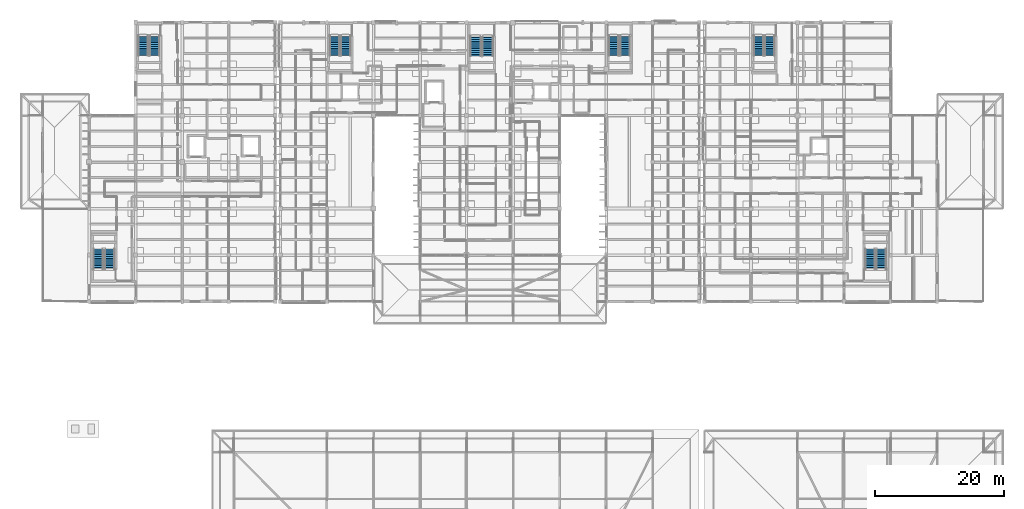
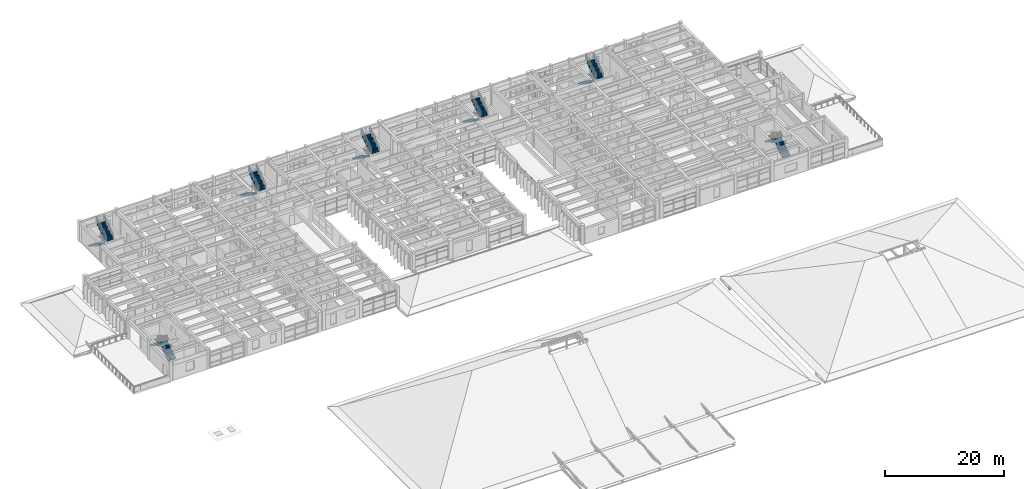
# One storey, part 83 of 100: 14 stair flights, 7 elements without a shape of their own.
"""IFC4 building model written with IfcOpenShell, lengths in metres."""

from ifc_helpers import new_model, si_unit, direction, frame, origin, place, context, subcontext, project, spatial, polyline, outline, extrude, material, type_object, element, aggregate, save


model = new_model("IFC4")

# Units and contexts
model_context = context("Model", 3, precision=1e-05, world=origin(), true_north=direction((0.0, 1.0)))
body_context = subcontext(model_context, "Body", "Model", "MODEL_VIEW")
ifc_project = project(units=[si_unit("LENGTHUNIT", "METRE"), si_unit("AREAUNIT", "SQUARE_METRE"), si_unit("VOLUMEUNIT", "CUBIC_METRE"), si_unit("PLANEANGLEUNIT", "RADIAN"), si_unit("MASSUNIT", "GRAM", prefix="KILO")], contexts=[model_context])

# Site, building, storey
site_placement = place(None, origin())
site = spatial("IfcSite", under=ifc_project, at=site_placement, CompositionType="ELEMENT")
building_placement = place(site_placement, origin())
building = spatial("IfcBuilding", under=site, at=building_placement, Name="Steenspoor Specialist Clinic", CompositionType="ELEMENT")
storey_placement = place(building_placement, frame((0.0, 0.0, 9.0)))
storey = spatial("IfcBuildingStorey", under=building, at=storey_placement, Name="L02", CompositionType="ELEMENT", Elevation=9.0)

# Stair, stair flights
ifc_material = material(Name="Concrete C35/45", Category="concrete")
stair_type_1 = type_object("IfcStairType", Name="ST-CORE-TYP", PredefinedType="HALF_TURN_STAIR", material=ifc_material)
stair_1_placement = place(storey_placement, origin())
stair_1 = element("IfcStair", 1, at=stair_1_placement, inside=storey, type_object=stair_type_1, Name="L02 Enclosed Exit Stair ST-V4A", PredefinedType="HALF_TURN_STAIR")
stair_flight_type_1 = type_object("IfcStairFlightType", Name="FL-CORE-TYP", PredefinedType="STRAIGHT", material=ifc_material)
stair_flight_1_placement = place(storey_placement, frame((60.77490234375, 106.35009765625, 0.0), z_axis=(0.0, 0.0, 1.0), x_axis=(0.0, -1.0, 0.0)))
stair_flight_1 = element("IfcStairFlight", 2, at=stair_flight_1_placement, type_object=stair_flight_type_1, Name="ST-V4A flight 1", NumberOfRisers=12, NumberOfTreads=11, PredefinedType="STRAIGHT", RiserHeight=0.175, TreadLength=0.285, context=body_context, shape_type="SweptSolid", body=[
    extrude(outline(polyline([(0.0, 0.0), (0.0, 0.175048828125), (0.284912109375, 0.175048828125), (0.284912109375, 0.35009765625), (0.570068359375, 0.35009765625), (0.570068359375, 0.52490234375), (0.85498046875, 0.52490234375), (0.85498046875, 0.699951171875), (1.139892578125, 0.699951171875), (1.139892578125, 0.875), (1.425048828125, 0.875), (1.425048828125, 1.050048828125), (1.7099609375, 1.050048828125), (1.7099609375, 1.22509765625), (1.9951171875, 1.22509765625), (1.9951171875, 1.39990234375), (2.280029296875, 1.39990234375), (2.280029296875, 1.574951171875), (2.56494140625, 1.574951171875), (2.56494140625, 1.75), (2.85009765625, 1.75), (2.85009765625, 1.925048828125), (3.135009765625, 1.925048828125), (3.135009765625, 2.10009765625), (3.135009765625, 1.7373046875), (0.3056640625, 0.0), (0.0, 0.0)])), frame((0.0, 0.77490234375, 0.0), z_axis=(0.0, -1.0, 0.0), x_axis=(1.0, 0.0, 0.0)), (0.0, 0.0, 1.0), 1.550048828125),
])
stair_flight_2_placement = place(storey_placement, frame((62.52490234375, 103.215087890625, 2.10009765625), z_axis=(0.0, 0.0, 1.0), x_axis=(0.0, 1.0, 0.0)))
stair_flight_2 = element("IfcStairFlight", 3, at=stair_flight_2_placement, type_object=stair_flight_type_1, Name="ST-V4A flight 2", NumberOfRisers=12, NumberOfTreads=11, PredefinedType="STRAIGHT", RiserHeight=0.175, TreadLength=0.285, context=body_context, shape_type="SweptSolid", body=[
    extrude(outline(polyline([(0.0, 0.0), (0.0, 0.175048828125), (0.284912109375, 0.175048828125), (0.284912109375, 0.35009765625), (0.570068359375, 0.35009765625), (0.570068359375, 0.52490234375), (0.85498046875, 0.52490234375), (0.85498046875, 0.699951171875), (1.139892578125, 0.699951171875), (1.139892578125, 0.875), (1.425048828125, 0.875), (1.425048828125, 1.050048828125), (1.7099609375, 1.050048828125), (1.7099609375, 1.22509765625), (1.9951171875, 1.22509765625), (1.9951171875, 1.39990234375), (2.280029296875, 1.39990234375), (2.280029296875, 1.574951171875), (2.56494140625, 1.574951171875), (2.56494140625, 1.75), (2.85009765625, 1.75), (2.85009765625, 1.925048828125), (3.135009765625, 1.925048828125), (3.135009765625, 2.10009765625), (3.135009765625, 1.7373046875), (0.3056640625, 0.0), (0.0, 0.0)])), frame((0.0, 0.77490234375, 0.0), z_axis=(0.0, -1.0, 0.0), x_axis=(1.0, 0.0, 0.0)), (0.0, 0.0, 1.0), 1.550048828125),
])
aggregate(stair_1, [stair_flight_1, stair_flight_2])

stair_2_placement = place(storey_placement, origin())
stair_2 = element("IfcStair", 4, at=stair_2_placement, inside=storey, type_object=stair_type_1, Name="L02 Enclosed Exit Stair ST-V4B", PredefinedType="HALF_TURN_STAIR")
stair_flight_3_placement = place(storey_placement, frame((103.97509765625, 106.35009765625, 0.0), z_axis=(0.0, 0.0, 1.0), x_axis=(0.0, -1.0, 0.0)))
stair_flight_3 = element("IfcStairFlight", 5, at=stair_flight_3_placement, type_object=stair_flight_type_1, Name="ST-V4B flight 1", NumberOfRisers=12, NumberOfTreads=11, PredefinedType="STRAIGHT", RiserHeight=0.175, TreadLength=0.285, context=body_context, shape_type="SweptSolid", body=[
    extrude(outline(polyline([(0.0, 0.0), (0.0, 0.175048828125), (0.284912109375, 0.175048828125), (0.284912109375, 0.35009765625), (0.570068359375, 0.35009765625), (0.570068359375, 0.52490234375), (0.85498046875, 0.52490234375), (0.85498046875, 0.699951171875), (1.139892578125, 0.699951171875), (1.139892578125, 0.875), (1.425048828125, 0.875), (1.425048828125, 1.050048828125), (1.7099609375, 1.050048828125), (1.7099609375, 1.22509765625), (1.9951171875, 1.22509765625), (1.9951171875, 1.39990234375), (2.280029296875, 1.39990234375), (2.280029296875, 1.574951171875), (2.56494140625, 1.574951171875), (2.56494140625, 1.75), (2.85009765625, 1.75), (2.85009765625, 1.925048828125), (3.135009765625, 1.925048828125), (3.135009765625, 2.10009765625), (3.135009765625, 1.7373046875), (0.3056640625, 0.0), (0.0, 0.0)])), frame((0.0, 0.77490234375, 0.0), z_axis=(0.0, -1.0, 0.0), x_axis=(1.0, 0.0, 0.0)), (0.0, 0.0, 1.0), 1.550048828125),
])
stair_flight_4_placement = place(storey_placement, frame((105.72509765625, 103.215087890625, 2.10009765625), z_axis=(0.0, 0.0, 1.0), x_axis=(0.0, 1.0, 0.0)))
stair_flight_4 = element("IfcStairFlight", 6, at=stair_flight_4_placement, type_object=stair_flight_type_1, Name="ST-V4B flight 2", NumberOfRisers=12, NumberOfTreads=11, PredefinedType="STRAIGHT", RiserHeight=0.175, TreadLength=0.285, context=body_context, shape_type="SweptSolid", body=[
    extrude(outline(polyline([(0.0, 0.0), (0.0, 0.175048828125), (0.284912109375, 0.175048828125), (0.284912109375, 0.35009765625), (0.570068359375, 0.35009765625), (0.570068359375, 0.52490234375), (0.85498046875, 0.52490234375), (0.85498046875, 0.699951171875), (1.139892578125, 0.699951171875), (1.139892578125, 0.875), (1.425048828125, 0.875), (1.425048828125, 1.050048828125), (1.7099609375, 1.050048828125), (1.7099609375, 1.22509765625), (1.9951171875, 1.22509765625), (1.9951171875, 1.39990234375), (2.280029296875, 1.39990234375), (2.280029296875, 1.574951171875), (2.56494140625, 1.574951171875), (2.56494140625, 1.75), (2.85009765625, 1.75), (2.85009765625, 1.925048828125), (3.135009765625, 1.925048828125), (3.135009765625, 2.10009765625), (3.135009765625, 1.7373046875), (0.3056640625, 0.0), (0.0, 0.0)])), frame((0.0, 0.77490234375, 0.0), z_axis=(0.0, -1.0, 0.0), x_axis=(1.0, 0.0, 0.0)), (0.0, 0.0, 1.0), 1.550048828125),
])
aggregate(stair_2, [stair_flight_3, stair_flight_4])

stair_3_placement = place(storey_placement, origin())
stair_3 = element("IfcStair", 7, at=stair_3_placement, inside=storey, type_object=stair_type_1, Name="L02 Enclosed Exit Stair ST-V5A", PredefinedType="HALF_TURN_STAIR")
stair_flight_5_placement = place(storey_placement, frame((31.175048828125, 106.35009765625, 0.0), z_axis=(0.0, 0.0, 1.0), x_axis=(0.0, -1.0, 0.0)))
stair_flight_5 = element("IfcStairFlight", 8, at=stair_flight_5_placement, type_object=stair_flight_type_1, Name="ST-V5A flight 1", NumberOfRisers=12, NumberOfTreads=11, PredefinedType="STRAIGHT", RiserHeight=0.175, TreadLength=0.285, context=body_context, shape_type="SweptSolid", body=[
    extrude(outline(polyline([(0.0, 0.0), (0.0, 0.175048828125), (0.284912109375, 0.175048828125), (0.284912109375, 0.35009765625), (0.570068359375, 0.35009765625), (0.570068359375, 0.52490234375), (0.85498046875, 0.52490234375), (0.85498046875, 0.699951171875), (1.139892578125, 0.699951171875), (1.139892578125, 0.875), (1.425048828125, 0.875), (1.425048828125, 1.050048828125), (1.7099609375, 1.050048828125), (1.7099609375, 1.22509765625), (1.9951171875, 1.22509765625), (1.9951171875, 1.39990234375), (2.280029296875, 1.39990234375), (2.280029296875, 1.574951171875), (2.56494140625, 1.574951171875), (2.56494140625, 1.75), (2.85009765625, 1.75), (2.85009765625, 1.925048828125), (3.135009765625, 1.925048828125), (3.135009765625, 2.10009765625), (3.135009765625, 1.7373046875), (0.3056640625, 0.0), (0.0, 0.0)])), frame((0.0, 0.77490234375, 0.0), z_axis=(0.0, -1.0, 0.0), x_axis=(1.0, 0.0, 0.0)), (0.0, 0.0, 1.0), 1.550048828125),
])
stair_flight_6_placement = place(storey_placement, frame((32.925048828125, 103.215087890625, 2.10009765625), z_axis=(0.0, 0.0, 1.0), x_axis=(0.0, 1.0, 0.0)))
stair_flight_6 = element("IfcStairFlight", 9, at=stair_flight_6_placement, type_object=stair_flight_type_1, Name="ST-V5A flight 2", NumberOfRisers=12, NumberOfTreads=11, PredefinedType="STRAIGHT", RiserHeight=0.175, TreadLength=0.285, context=body_context, shape_type="SweptSolid", body=[
    extrude(outline(polyline([(0.0, 0.0), (0.0, 0.175048828125), (0.284912109375, 0.175048828125), (0.284912109375, 0.35009765625), (0.570068359375, 0.35009765625), (0.570068359375, 0.52490234375), (0.85498046875, 0.52490234375), (0.85498046875, 0.699951171875), (1.139892578125, 0.699951171875), (1.139892578125, 0.875), (1.425048828125, 0.875), (1.425048828125, 1.050048828125), (1.7099609375, 1.050048828125), (1.7099609375, 1.22509765625), (1.9951171875, 1.22509765625), (1.9951171875, 1.39990234375), (2.280029296875, 1.39990234375), (2.280029296875, 1.574951171875), (2.56494140625, 1.574951171875), (2.56494140625, 1.75), (2.85009765625, 1.75), (2.85009765625, 1.925048828125), (3.135009765625, 1.925048828125), (3.135009765625, 2.10009765625), (3.135009765625, 1.7373046875), (0.3056640625, 0.0), (0.0, 0.0)])), frame((0.0, 0.77490234375, 0.0), z_axis=(0.0, -1.0, 0.0), x_axis=(1.0, 0.0, 0.0)), (0.0, 0.0, 1.0), 1.550048828125),
])
aggregate(stair_3, [stair_flight_5, stair_flight_6])

stair_4_placement = place(storey_placement, origin())
stair_4 = element("IfcStair", 10, at=stair_4_placement, inside=storey, type_object=stair_type_1, Name="L02 Enclosed Exit Stair ST-V5B", PredefinedType="HALF_TURN_STAIR")
stair_flight_7_placement = place(storey_placement, frame((25.97509765625, 70.14990234375, 0.0), z_axis=(0.0, 0.0, 1.0), x_axis=(0.0, 1.0, 0.0)))
stair_flight_7 = element("IfcStairFlight", 11, at=stair_flight_7_placement, type_object=stair_flight_type_1, Name="ST-V5B flight 1", NumberOfRisers=12, NumberOfTreads=11, PredefinedType="STRAIGHT", RiserHeight=0.175, TreadLength=0.285, context=body_context, shape_type="SweptSolid", body=[
    extrude(outline(polyline([(0.0, 0.0), (0.0, 0.175048828125), (0.284912109375, 0.175048828125), (0.284912109375, 0.35009765625), (0.570068359375, 0.35009765625), (0.570068359375, 0.52490234375), (0.85498046875, 0.52490234375), (0.85498046875, 0.699951171875), (1.139892578125, 0.699951171875), (1.139892578125, 0.875), (1.425048828125, 0.875), (1.425048828125, 1.050048828125), (1.7099609375, 1.050048828125), (1.7099609375, 1.22509765625), (1.9951171875, 1.22509765625), (1.9951171875, 1.39990234375), (2.280029296875, 1.39990234375), (2.280029296875, 1.574951171875), (2.56494140625, 1.574951171875), (2.56494140625, 1.75), (2.85009765625, 1.75), (2.85009765625, 1.925048828125), (3.135009765625, 1.925048828125), (3.135009765625, 2.10009765625), (3.135009765625, 1.7373046875), (0.3056640625, 0.0), (0.0, 0.0)])), frame((0.0, 0.77490234375, 0.0), z_axis=(0.0, -1.0, 0.0), x_axis=(1.0, 0.0, 0.0)), (0.0, 0.0, 1.0), 1.550048828125),
])
stair_flight_8_placement = place(storey_placement, frame((24.22509765625, 73.284912109375, 2.10009765625), z_axis=(0.0, 0.0, 1.0), x_axis=(0.0, -1.0, 0.0)))
stair_flight_8 = element("IfcStairFlight", 12, at=stair_flight_8_placement, type_object=stair_flight_type_1, Name="ST-V5B flight 2", NumberOfRisers=12, NumberOfTreads=11, PredefinedType="STRAIGHT", RiserHeight=0.175, TreadLength=0.285, context=body_context, shape_type="SweptSolid", body=[
    extrude(outline(polyline([(0.0, 0.0), (0.0, 0.175048828125), (0.284912109375, 0.175048828125), (0.284912109375, 0.35009765625), (0.570068359375, 0.35009765625), (0.570068359375, 0.52490234375), (0.85498046875, 0.52490234375), (0.85498046875, 0.699951171875), (1.139892578125, 0.699951171875), (1.139892578125, 0.875), (1.425048828125, 0.875), (1.425048828125, 1.050048828125), (1.7099609375, 1.050048828125), (1.7099609375, 1.22509765625), (1.9951171875, 1.22509765625), (1.9951171875, 1.39990234375), (2.280029296875, 1.39990234375), (2.280029296875, 1.574951171875), (2.56494140625, 1.574951171875), (2.56494140625, 1.75), (2.85009765625, 1.75), (2.85009765625, 1.925048828125), (3.135009765625, 1.925048828125), (3.135009765625, 2.10009765625), (3.135009765625, 1.7373046875), (0.3056640625, 0.0), (0.0, 0.0)])), frame((0.0, 0.77490234375, 0.0), z_axis=(0.0, -1.0, 0.0), x_axis=(1.0, 0.0, 0.0)), (0.0, 0.0, 1.0), 1.550048828125),
])
aggregate(stair_4, [stair_flight_7, stair_flight_8])

stair_5_placement = place(storey_placement, origin())
stair_5 = element("IfcStair", 13, at=stair_5_placement, inside=storey, type_object=stair_type_1, Name="L02 Enclosed Exit Stair ST-V6A", PredefinedType="HALF_TURN_STAIR")
stair_flight_9_placement = place(storey_placement, frame((126.375, 106.35009765625, 0.0), z_axis=(0.0, 0.0, 1.0), x_axis=(0.0, -1.0, 0.0)))
stair_flight_9 = element("IfcStairFlight", 14, at=stair_flight_9_placement, type_object=stair_flight_type_1, Name="ST-V6A flight 1", NumberOfRisers=12, NumberOfTreads=11, PredefinedType="STRAIGHT", RiserHeight=0.175, TreadLength=0.285, context=body_context, shape_type="SweptSolid", body=[
    extrude(outline(polyline([(0.0, 0.0), (0.0, 0.175048828125), (0.284912109375, 0.175048828125), (0.284912109375, 0.35009765625), (0.570068359375, 0.35009765625), (0.570068359375, 0.52490234375), (0.85498046875, 0.52490234375), (0.85498046875, 0.699951171875), (1.139892578125, 0.699951171875), (1.139892578125, 0.875), (1.425048828125, 0.875), (1.425048828125, 1.050048828125), (1.7099609375, 1.050048828125), (1.7099609375, 1.22509765625), (1.9951171875, 1.22509765625), (1.9951171875, 1.39990234375), (2.280029296875, 1.39990234375), (2.280029296875, 1.574951171875), (2.56494140625, 1.574951171875), (2.56494140625, 1.75), (2.85009765625, 1.75), (2.85009765625, 1.925048828125), (3.135009765625, 1.925048828125), (3.135009765625, 2.10009765625), (3.135009765625, 1.7373046875), (0.3056640625, 0.0), (0.0, 0.0)])), frame((0.0, 0.77490234375, 0.0), z_axis=(0.0, -1.0, 0.0), x_axis=(1.0, 0.0, 0.0)), (0.0, 0.0, 1.0), 1.550048828125),
])
stair_flight_10_placement = place(storey_placement, frame((128.125, 103.215087890625, 2.10009765625), z_axis=(0.0, 0.0, 1.0), x_axis=(0.0, 1.0, 0.0)))
stair_flight_10 = element("IfcStairFlight", 15, at=stair_flight_10_placement, type_object=stair_flight_type_1, Name="ST-V6A flight 2", NumberOfRisers=12, NumberOfTreads=11, PredefinedType="STRAIGHT", RiserHeight=0.175, TreadLength=0.285, context=body_context, shape_type="SweptSolid", body=[
    extrude(outline(polyline([(0.0, 0.0), (0.0, 0.175048828125), (0.284912109375, 0.175048828125), (0.284912109375, 0.35009765625), (0.570068359375, 0.35009765625), (0.570068359375, 0.52490234375), (0.85498046875, 0.52490234375), (0.85498046875, 0.699951171875), (1.139892578125, 0.699951171875), (1.139892578125, 0.875), (1.425048828125, 0.875), (1.425048828125, 1.050048828125), (1.7099609375, 1.050048828125), (1.7099609375, 1.22509765625), (1.9951171875, 1.22509765625), (1.9951171875, 1.39990234375), (2.280029296875, 1.39990234375), (2.280029296875, 1.574951171875), (2.56494140625, 1.574951171875), (2.56494140625, 1.75), (2.85009765625, 1.75), (2.85009765625, 1.925048828125), (3.135009765625, 1.925048828125), (3.135009765625, 2.10009765625), (3.135009765625, 1.7373046875), (0.3056640625, 0.0), (0.0, 0.0)])), frame((0.0, 0.77490234375, 0.0), z_axis=(0.0, -1.0, 0.0), x_axis=(1.0, 0.0, 0.0)), (0.0, 0.0, 1.0), 1.550048828125),
])
aggregate(stair_5, [stair_flight_9, stair_flight_10])

stair_6_placement = place(storey_placement, origin())
stair_6 = element("IfcStair", 16, at=stair_6_placement, inside=storey, type_object=stair_type_1, Name="L02 Enclosed Exit Stair ST-V6B", PredefinedType="HALF_TURN_STAIR")
stair_flight_11_placement = place(storey_placement, frame((145.375, 70.14990234375, 0.0), z_axis=(0.0, 0.0, 1.0), x_axis=(0.0, 1.0, 0.0)))
stair_flight_11 = element("IfcStairFlight", 17, at=stair_flight_11_placement, type_object=stair_flight_type_1, Name="ST-V6B flight 1", NumberOfRisers=12, NumberOfTreads=11, PredefinedType="STRAIGHT", RiserHeight=0.175, TreadLength=0.285, context=body_context, shape_type="SweptSolid", body=[
    extrude(outline(polyline([(0.0, 0.0), (0.0, 0.175048828125), (0.284912109375, 0.175048828125), (0.284912109375, 0.35009765625), (0.570068359375, 0.35009765625), (0.570068359375, 0.52490234375), (0.85498046875, 0.52490234375), (0.85498046875, 0.699951171875), (1.139892578125, 0.699951171875), (1.139892578125, 0.875), (1.425048828125, 0.875), (1.425048828125, 1.050048828125), (1.7099609375, 1.050048828125), (1.7099609375, 1.22509765625), (1.9951171875, 1.22509765625), (1.9951171875, 1.39990234375), (2.280029296875, 1.39990234375), (2.280029296875, 1.574951171875), (2.56494140625, 1.574951171875), (2.56494140625, 1.75), (2.85009765625, 1.75), (2.85009765625, 1.925048828125), (3.135009765625, 1.925048828125), (3.135009765625, 2.10009765625), (3.135009765625, 1.7373046875), (0.3056640625, 0.0), (0.0, 0.0)])), frame((0.0, 0.77490234375, 0.0), z_axis=(0.0, -1.0, 0.0), x_axis=(1.0, 0.0, 0.0)), (0.0, 0.0, 1.0), 1.550048828125),
])
stair_flight_12_placement = place(storey_placement, frame((143.625, 73.284912109375, 2.10009765625), z_axis=(0.0, 0.0, 1.0), x_axis=(0.0, -1.0, 0.0)))
stair_flight_12 = element("IfcStairFlight", 18, at=stair_flight_12_placement, type_object=stair_flight_type_1, Name="ST-V6B flight 2", NumberOfRisers=12, NumberOfTreads=11, PredefinedType="STRAIGHT", RiserHeight=0.175, TreadLength=0.285, context=body_context, shape_type="SweptSolid", body=[
    extrude(outline(polyline([(0.0, 0.0), (0.0, 0.175048828125), (0.284912109375, 0.175048828125), (0.284912109375, 0.35009765625), (0.570068359375, 0.35009765625), (0.570068359375, 0.52490234375), (0.85498046875, 0.52490234375), (0.85498046875, 0.699951171875), (1.139892578125, 0.699951171875), (1.139892578125, 0.875), (1.425048828125, 0.875), (1.425048828125, 1.050048828125), (1.7099609375, 1.050048828125), (1.7099609375, 1.22509765625), (1.9951171875, 1.22509765625), (1.9951171875, 1.39990234375), (2.280029296875, 1.39990234375), (2.280029296875, 1.574951171875), (2.56494140625, 1.574951171875), (2.56494140625, 1.75), (2.85009765625, 1.75), (2.85009765625, 1.925048828125), (3.135009765625, 1.925048828125), (3.135009765625, 2.10009765625), (3.135009765625, 1.7373046875), (0.3056640625, 0.0), (0.0, 0.0)])), frame((0.0, 0.77490234375, 0.0), z_axis=(0.0, -1.0, 0.0), x_axis=(1.0, 0.0, 0.0)), (0.0, 0.0, 1.0), 1.550048828125),
])
aggregate(stair_6, [stair_flight_11, stair_flight_12])

stair_type_2 = type_object("IfcStairType", Name="ST-CORE-WD", PredefinedType="HALF_TURN_STAIR", material=ifc_material)
stair_7_placement = place(storey_placement, origin())
stair_7 = element("IfcStair", 19, at=stair_7_placement, inside=storey, type_object=stair_type_2, Name="L02 Enclosed Exit Stair ST-V4C", PredefinedType="HALF_TURN_STAIR")
stair_flight_type_2 = type_object("IfcStairFlightType", Name="FL-CORE-WD", PredefinedType="STRAIGHT", material=ifc_material)
stair_flight_13_placement = place(storey_placement, frame((82.60009765625, 106.280029296875, 0.0), z_axis=(0.0, 0.0, 1.0), x_axis=(0.0, -1.0, 0.0)))
stair_flight_13 = element("IfcStairFlight", 20, at=stair_flight_13_placement, type_object=stair_flight_type_2, Name="ST-V4C flight 1", NumberOfRisers=12, NumberOfTreads=11, PredefinedType="STRAIGHT", RiserHeight=0.175, TreadLength=0.285, context=body_context, shape_type="SweptSolid", body=[
    extrude(outline(polyline([(0.0, 0.0), (0.0, 0.175048828125), (0.284912109375, 0.175048828125), (0.284912109375, 0.35009765625), (0.570068359375, 0.35009765625), (0.570068359375, 0.52490234375), (0.85498046875, 0.52490234375), (0.85498046875, 0.699951171875), (1.139892578125, 0.699951171875), (1.139892578125, 0.875), (1.425048828125, 0.875), (1.425048828125, 1.050048828125), (1.7099609375, 1.050048828125), (1.7099609375, 1.22509765625), (1.9951171875, 1.22509765625), (1.9951171875, 1.39990234375), (2.280029296875, 1.39990234375), (2.280029296875, 1.574951171875), (2.56494140625, 1.574951171875), (2.56494140625, 1.75), (2.85009765625, 1.75), (2.85009765625, 1.925048828125), (3.135009765625, 1.925048828125), (3.135009765625, 2.10009765625), (3.135009765625, 1.7373046875), (0.3056640625, 0.0), (0.0, 0.0)])), frame((0.0, 0.85009765625, 0.0), z_axis=(0.0, -1.0, 0.0), x_axis=(1.0, 0.0, 0.0)), (0.0, 0.0, 1.0), 1.699951171875),
])
stair_flight_14_placement = place(storey_placement, frame((84.5, 103.14501953125, 2.10009765625), z_axis=(0.0, 0.0, 1.0), x_axis=(0.0, 1.0, 0.0)))
stair_flight_14 = element("IfcStairFlight", 21, at=stair_flight_14_placement, type_object=stair_flight_type_2, Name="ST-V4C flight 2", NumberOfRisers=12, NumberOfTreads=11, PredefinedType="STRAIGHT", RiserHeight=0.175, TreadLength=0.285, context=body_context, shape_type="SweptSolid", body=[
    extrude(outline(polyline([(0.0, 0.0), (0.0, 0.175048828125), (0.284912109375, 0.175048828125), (0.284912109375, 0.35009765625), (0.570068359375, 0.35009765625), (0.570068359375, 0.52490234375), (0.85498046875, 0.52490234375), (0.85498046875, 0.699951171875), (1.139892578125, 0.699951171875), (1.139892578125, 0.875), (1.425048828125, 0.875), (1.425048828125, 1.050048828125), (1.7099609375, 1.050048828125), (1.7099609375, 1.22509765625), (1.9951171875, 1.22509765625), (1.9951171875, 1.39990234375), (2.280029296875, 1.39990234375), (2.280029296875, 1.574951171875), (2.56494140625, 1.574951171875), (2.56494140625, 1.75), (2.85009765625, 1.75), (2.85009765625, 1.925048828125), (3.135009765625, 1.925048828125), (3.135009765625, 2.10009765625), (3.135009765625, 1.7373046875), (0.3056640625, 0.0), (0.0, 0.0)])), frame((0.0, 0.85009765625, 0.0), z_axis=(0.0, -1.0, 0.0), x_axis=(1.0, 0.0, 0.0)), (0.0, 0.0, 1.0), 1.699951171875),
])
aggregate(stair_7, [stair_flight_13, stair_flight_14])

save(model, "model.ifc")
